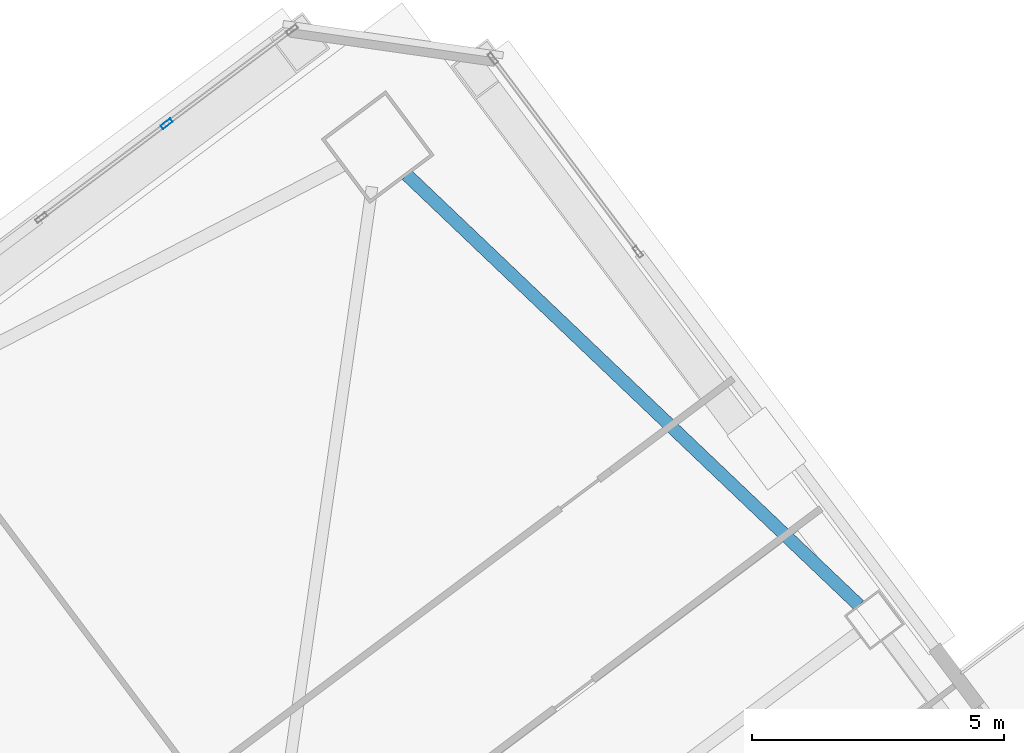
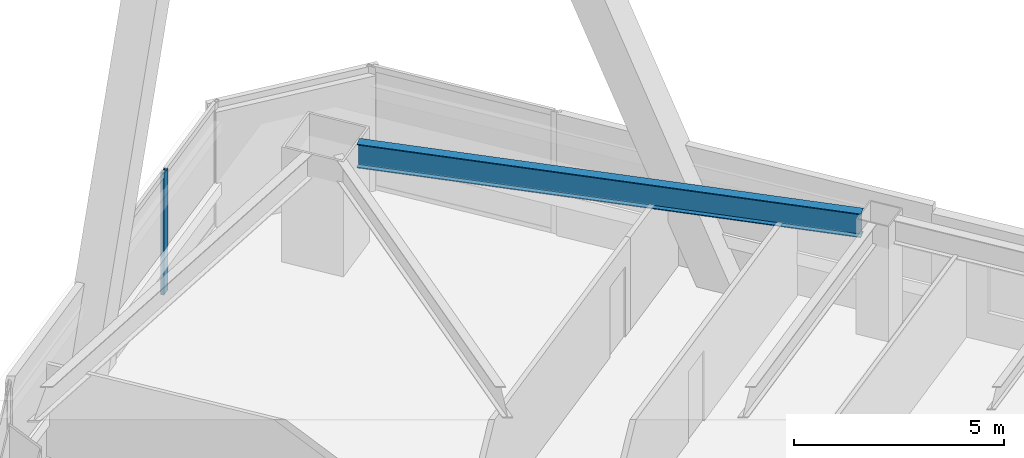
# One storey, part 57 of 75: 1 beam, 1 member, 1 element without a shape of its own.
"""IFC4 building model written with IfcOpenShell, lengths in metres."""

from ifc_helpers import new_model, si_unit, direction, frame, origin, origin_2d, place, context, subcontext, project, spatial, hollow_rectangle, i_section, extrude, material, material_profile, profile_set, type_object, element, aggregate, save


model = new_model("IFC4")

# Units and contexts
model_context = context("Model", 3, precision=1e-05, world=origin(), true_north=direction((0.0, 1.0)))
body_context = subcontext(model_context, "Body", "Model", "MODEL_VIEW")
ifc_project = project(units=[si_unit("LENGTHUNIT", "METRE"), si_unit("AREAUNIT", "SQUARE_METRE"), si_unit("VOLUMEUNIT", "CUBIC_METRE"), si_unit("PLANEANGLEUNIT", "RADIAN"), si_unit("MASSUNIT", "GRAM", prefix="KILO")], contexts=[model_context])

# Site, building, storey
site_placement = place(None, origin())
site = spatial("IfcSite", under=ifc_project, at=site_placement, CompositionType="ELEMENT")
building_placement = place(site_placement, origin())
building = spatial("IfcBuilding", under=site, at=building_placement, Name="Tashvorn Skyway Center", CompositionType="ELEMENT")
storey_placement = place(building_placement, frame((0.0, 0.0, 45.89990234375)))
storey = spatial("IfcBuildingStorey", under=building, at=storey_placement, Name="L11", CompositionType="ELEMENT", Elevation=45.89990234375)

# Beam
ifc_material_1 = material(Name="Steel ASTM A992 Grade 50", Category="steel")
ifc_material_profile_1 = material_profile(ifc_material_1, i_section(OverallWidth=0.256103515625, OverallDepth=0.693115234375, WebThickness=0.014404296875, FlangeThickness=0.023681640625, at=origin_2d()), Name="W27X114")
ifc_profile_set_1 = profile_set([ifc_material_profile_1], Name="Steel ASTM A992 Grade 50")
beam_type = type_object("IfcBeamType", Name="BM-SPANDREL-W27X114", PredefinedType="SPANDREL", material=ifc_profile_set_1)
beam_placement = place(storey_placement, frame((127.2958984375, 49.23974609375, 3.003662109375), z_axis=(-0.724200339835, 0.689589637236, 0.0), x_axis=(-0.689589637236, -0.724200339835, 0.0)))
element("IfcBeam", 1, at=beam_placement, inside=storey, type_object=beam_type, Name="Tower 2 L11 Spandrel Beam 06", PredefinedType="SPANDREL", context=body_context, shape_type="SweptSolid", body=[
    extrude(i_section(OverallWidth=0.256103515625, OverallDepth=0.693115234375, WebThickness=0.014404296875, FlangeThickness=0.023681640625, at=origin_2d()), origin(), (0.0, 0.0, 1.0), 12.37255859375),
])

# Curtain wall, member
ifc_material_2 = material(Name="Thermally broken bronze-anodized aluminium 6063-T6", Category="aluminium")
curtain_wall_type = type_object("IfcCurtainWallType", Name="CW-CW-Z1", PredefinedType="NOTDEFINED", material=ifc_material_2)
curtain_wall_placement = place(storey_placement, origin())
curtain_wall = element("IfcCurtainWall", 2, at=curtain_wall_placement, inside=storey, type_object=curtain_wall_type, Name="Tower 2 L11 North Unitised Curtain Wall Glazing Group 3", PredefinedType="NOTDEFINED")
ifc_material_profile_2 = material_profile(ifc_material_2, hollow_rectangle(XDim=0.0849609375, YDim=0.239990234375, WallThickness=0.0048828125, at=origin_2d()), Name="ALU-MULL-85x240")
ifc_profile_set_2 = profile_set([ifc_material_profile_2], Name="Thermally broken bronze-anodized aluminium 6063-T6")
member_type = type_object("IfcMemberType", Name="CWM-CW-Z1", PredefinedType="MULLION", material=ifc_profile_set_2)
member_placement = place(storey_placement, frame((113.57861328125, 58.783935546875, 0.0), z_axis=(0.0, 0.0, 1.0), x_axis=(-0.599997457641, 0.800001906763, 0.0)))
member = element("IfcMember", 3, at=member_placement, type_object=member_type, Name="CW-Z1 mullion 2", PredefinedType="MULLION", context=body_context, shape_type="SweptSolid", body=[
    extrude(hollow_rectangle(XDim=0.0849609375, YDim=0.239990234375, WallThickness=0.0048828125, at=origin_2d()), origin(), (0.0, 0.0, 1.0), 3.550048828125),
])
aggregate(curtain_wall, [member])

save(model, "model.ifc")
